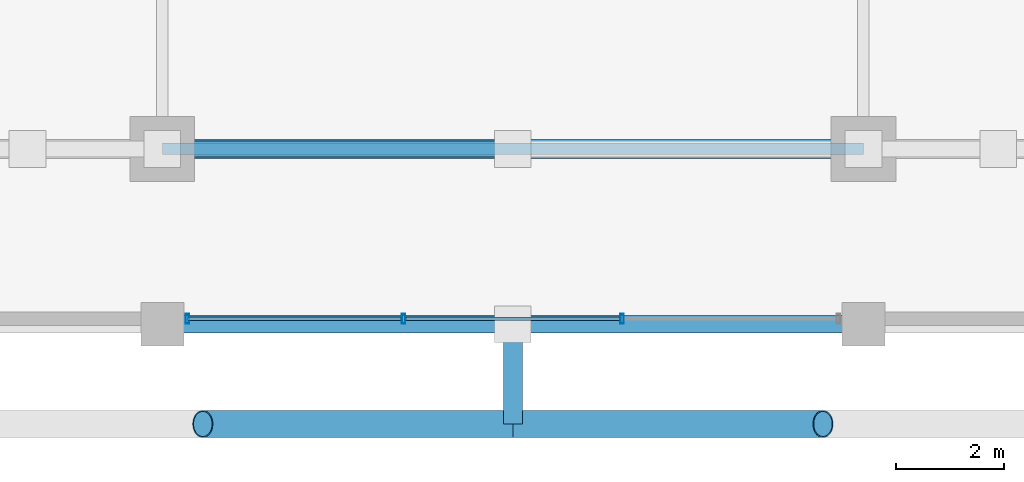
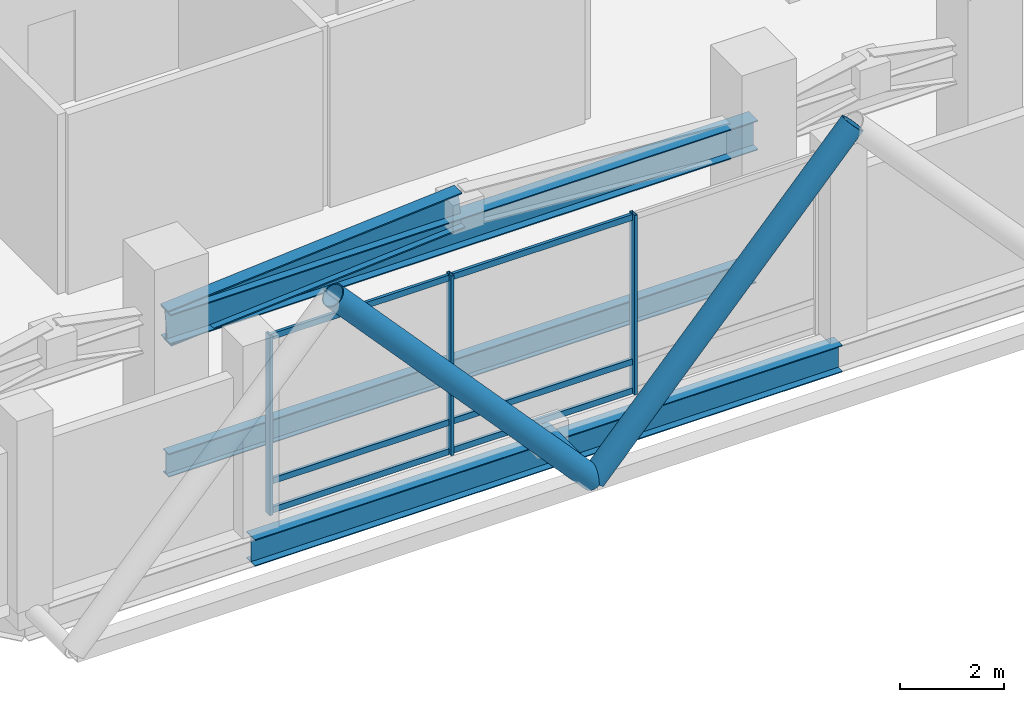
# One storey, part 2 of 22: 14 members, 2 beams, 1 element without a shape of its own.
"""IFC4 building model written with IfcOpenShell, lengths in metres."""

import ifcopenshell
import ifcopenshell.guid

model = None  # the IFC model being written
_history = None  # IfcOwnerHistory: only IFC2X3 demands one
_inside = {}  # id of a spatial element -> (the spatial element, [elements in it])
_under = {}  # id of a project, library or spatial element -> (it, [spatial elements below it])
_declared = {}  # id of a project -> (the project, [libraries it declares])
_typed = {}  # id of a type object -> (the type object, [elements of that type])
_made_of = {}  # id of a material, layer set ... -> (it, [elements and type objects made of it])


def new_model(schema):
    """Start an empty IFC model of exactly this schema.

    Asked for "IFC4X3", IfcOpenShell would pick the latest addendum, in which some entities
    have other attributes; the version numbers below select the first issue.
    IFC2X3 requires an IfcOwnerHistory on every rooted entity: one is made here for all.
    """
    global model, _history
    if schema == "IFC4X3":
        model = ifcopenshell.file(schema_version=(4, 3, 0, 0))
    else:
        model = ifcopenshell.file(schema=schema)
    _inside.clear()
    _under.clear()
    _declared.clear()
    _typed.clear()
    _made_of.clear()
    _history = None
    if model.schema == "IFC2X3":
        org = make("IfcOrganization", Name="unknown")
        user = make(
            "IfcPersonAndOrganization",
            ThePerson=make("IfcPerson", FamilyName="unknown"),
            TheOrganization=org,
        )
        app = make(
            "IfcApplication",
            ApplicationDeveloper=org,
            Version="unknown",
            ApplicationFullName="unknown",
            ApplicationIdentifier="unknown",
        )
        _history = make(
            "IfcOwnerHistory",
            OwningUser=user,
            OwningApplication=app,
            ChangeAction="ADDED",
            CreationDate=0,
        )
    return model


def make(cls, **values):
    """One entity of the class cls with the attributes given. An attribute that is None is left unset."""
    return model.create_entity(
        cls, **{name: value for name, value in values.items() if value is not None}
    )


def rooted(cls, **values):
    """An entity with a GlobalId (a new one), such as an element, a storey or a relation."""
    return make(cls, GlobalId=ifcopenshell.guid.new(), OwnerHistory=_history, **values)


def si_unit(unit_type, name, prefix=None):
    """IfcSIUnit, for example si_unit("LENGTHUNIT", "METRE", prefix="MILLI")."""
    return make("IfcSIUnit", UnitType=unit_type, Prefix=prefix, Name=name)


def assignment(units):
    """IfcUnitAssignment: the units of a project."""
    return None if units is None else make("IfcUnitAssignment", Units=units)


def point(xyz):
    """IfcCartesianPoint."""
    return None if xyz is None else make("IfcCartesianPoint", Coordinates=xyz)


def direction(xyz):
    """IfcDirection."""
    return None if xyz is None else make("IfcDirection", DirectionRatios=xyz)


def frame(location, z_axis=None, x_axis=None):
    """IfcAxis2Placement3D, a coordinate frame: its origin and axes. An axis left out is left unset."""
    return make(
        "IfcAxis2Placement3D",
        Location=point(location),
        Axis=direction(z_axis),
        RefDirection=direction(x_axis),
    )


def frame_2d(location, x_axis=None):
    """IfcAxis2Placement2D, a coordinate frame in the plane: its origin and x axis."""
    return make(
        "IfcAxis2Placement2D", Location=point(location), RefDirection=direction(x_axis)
    )


def origin():
    """The frame at (0, 0, 0) with its axes left unset."""
    return frame((0.0, 0.0, 0.0))


def origin_2d():
    """The frame at (0, 0) in the plane with its x axis left unset."""
    return frame_2d((0.0, 0.0))


def place(relative_to, where):
    """IfcLocalPlacement: puts the frame where relative to a parent placement (None: the world)."""
    return make(
        "IfcLocalPlacement", PlacementRelTo=relative_to, RelativePlacement=where
    )


def context(
    kind, dimensions, precision=None, world=None, true_north=None, identifier=None
):
    """IfcGeometricRepresentationContext, for example the 3D "Model" context."""
    return make(
        "IfcGeometricRepresentationContext",
        ContextIdentifier=identifier,
        ContextType=kind,
        CoordinateSpaceDimension=dimensions,
        Precision=precision,
        WorldCoordinateSystem=world,
        TrueNorth=true_north,
    )


def subcontext(parent, identifier, kind, view, scale=None):
    """IfcGeometricRepresentationSubContext, for example "Body" below "Model"."""
    return make(
        "IfcGeometricRepresentationSubContext",
        ContextIdentifier=identifier,
        ContextType=kind,
        ParentContext=parent,
        TargetScale=scale,
        TargetView=view,
    )


def project(units=None, contexts=None):
    """IfcProject with its units and contexts."""
    return rooted(
        "IfcProject",
        Name="project",
        RepresentationContexts=contexts,
        UnitsInContext=assignment(units),
    )


def spatial(cls, under=None, at=None, **own):
    """A site, building, storey or space (cls), placed at a placement, below another one or the project."""
    s = rooted(cls, ObjectPlacement=at, **own)
    if under is not None:
        _under.setdefault(under.id(), (under, []))[1].append(s)
    return s


def profile(cls, at=None, kind="AREA", **sizes):
    """A parametric profile (cls). Its sizes go by their IFC names, for example OverallWidth=200.0."""
    return make(cls, ProfileType=kind, Position=at, **sizes)


def hollow_rectangle(**sizes):
    """IfcRectangleHollowProfileDef."""
    return profile("IfcRectangleHollowProfileDef", **sizes)


def hollow_circle(**sizes):
    """IfcCircleHollowProfileDef."""
    return profile("IfcCircleHollowProfileDef", **sizes)


def i_section(**sizes):
    """IfcIShapeProfileDef."""
    return profile("IfcIShapeProfileDef", **sizes)


def extrude(swept, where, along, depth):
    """IfcExtrudedAreaSolid: the profile swept, set in the frame where, extruded along a direction by depth."""
    return make(
        "IfcExtrudedAreaSolid",
        SweptArea=swept,
        Position=where,
        ExtrudedDirection=direction(along),
        Depth=depth,
    )


def shape(context_of_items, identifier, shape_type, items):
    """IfcShapeRepresentation: the items that make up one representation, for example the "Body"."""
    return make(
        "IfcShapeRepresentation",
        ContextOfItems=context_of_items,
        RepresentationIdentifier=identifier,
        RepresentationType=shape_type,
        Items=items,
    )


def material(Name=None, Category=None):
    """IfcMaterial."""
    return make("IfcMaterial", Name=Name, Category=Category)


def layer(
    of_material, thickness, ventilated=None, Name=None, Category=None, Priority=None
):
    """IfcMaterialLayer: one layer of a wall or slab, of a material (None: an air gap)."""
    return make(
        "IfcMaterialLayer",
        Material=of_material,
        LayerThickness=thickness,
        IsVentilated=ventilated,
        Name=Name,
        Category=Category,
        Priority=Priority,
    )


def layer_set(layers, Name=None):
    """IfcMaterialLayerSet."""
    return make("IfcMaterialLayerSet", MaterialLayers=layers, LayerSetName=Name)


def material_profile(
    of_material, cross_section, Name=None, Category=None, Priority=None
):
    """IfcMaterialProfile: a cross section and its material."""
    return make(
        "IfcMaterialProfile",
        Name=Name,
        Material=of_material,
        Profile=cross_section,
        Priority=Priority,
        Category=Category,
    )


def profile_set(profiles, Name=None, composite=None):
    """IfcMaterialProfileSet."""
    return make(
        "IfcMaterialProfileSet",
        Name=Name,
        MaterialProfiles=profiles,
        CompositeProfile=composite,
    )


def made_of(thing, what):
    """Note that an element or type object is made of a material, layer set ...; save() writes the relation."""
    if what is not None:
        _made_of.setdefault(what.id(), (what, []))[1].append(thing)
    return thing


def type_object(cls, material=None, **own):
    """A type object (cls), such as IfcWallType, which elements share."""
    return made_of(rooted(cls, **own), material)


def element(
    cls,
    number,
    at=None,
    inside=None,
    cuts=None,
    type_object=None,
    material=None,
    context=None,
    identifier="Body",
    shape_type=None,
    held_by="IfcProductDefinitionShape",
    body=None,
    shapes=None,
    **own,
):
    """One element of the class cls, such as IfcWall. Its Tag is "e" and its number.

    at: its placement. inside: the storey or other place that contains it. cuts: it is an
    opening in that element (IfcRelVoidsElement). A single representation is given by context,
    identifier, shape_type and body (its items); several are given by shapes. held_by: the class
    of the entity that holds the representations. save() writes the other relations.
    """
    e = rooted(cls, Tag="e%d" % number, ObjectPlacement=at, **own)
    if body is not None:
        shapes = [shape(context, identifier, shape_type, body)]
    if shapes is not None:
        e.Representation = make(held_by, Representations=shapes)
    if inside is not None:
        _inside.setdefault(inside.id(), (inside, []))[1].append(e)
    if cuts is not None:
        rooted(
            "IfcRelVoidsElement", RelatingBuildingElement=cuts, RelatedOpeningElement=e
        )
    if type_object is not None:
        _typed.setdefault(type_object.id(), (type_object, []))[1].append(e)
    return made_of(e, material)


def aggregate(whole, parts):
    """IfcRelAggregates: a whole, such as a stair, and the parts it consists of."""
    return rooted("IfcRelAggregates", RelatingObject=whole, RelatedObjects=parts)


def save(model, path):
    """Write the relations noted so far, then the file.

    IfcRelAggregates (storeys below a building ...), IfcRelContainedInSpatialStructure (elements
    in a storey), IfcRelDefinesByType, IfcRelAssociatesMaterial and IfcRelDeclares: one each for
    every whole, place, type object, material and project.
    """
    for whole, parts in _under.values():
        aggregate(whole, parts)
    for where, things in _inside.values():
        rooted(
            "IfcRelContainedInSpatialStructure",
            RelatedElements=things,
            RelatingStructure=where,
        )
    for kind, things in _typed.values():
        rooted("IfcRelDefinesByType", RelatedObjects=things, RelatingType=kind)
    for what, things in _made_of.values():
        rooted("IfcRelAssociatesMaterial", RelatedObjects=things, RelatingMaterial=what)
    for by, libraries in _declared.values():
        rooted("IfcRelDeclares", RelatingContext=by, RelatedDefinitions=libraries)
    model.write(path)


model = new_model("IFC4")

# Units and contexts
model_context = context("Model", 3, precision=1e-05, world=origin(), true_north=direction((0.0, 1.0)))
body_context = subcontext(model_context, "Body", "Model", "MODEL_VIEW")
ifc_project = project(units=[si_unit("LENGTHUNIT", "METRE"), si_unit("AREAUNIT", "SQUARE_METRE"), si_unit("VOLUMEUNIT", "CUBIC_METRE"), si_unit("PLANEANGLEUNIT", "RADIAN"), si_unit("MASSUNIT", "GRAM", prefix="KILO")], contexts=[model_context])

# Site, building, storey
site_placement = place(None, origin())
site = spatial("IfcSite", under=ifc_project, at=site_placement, CompositionType="ELEMENT")
building_placement = place(site_placement, origin())
building = spatial("IfcBuilding", under=site, at=building_placement, Name="Barlavira Tower and Art Museum", CompositionType="ELEMENT")
storey_placement = place(building_placement, frame((0.0, 0.0, 120.60009765625)))
storey = spatial("IfcBuildingStorey", under=building, at=storey_placement, Name="L30", CompositionType="ELEMENT", Elevation=120.60009765625)

# Members
ifc_material_1 = material(Name="Steel S355", Category="steel")
ifc_material_profile_1 = material_profile(ifc_material_1, i_section(OverallWidth=0.35595703125, OverallDepth=0.695068359375, WebThickness=0.014892578125, FlangeThickness=0.023681640625, at=origin_2d()), Name="W690x192.0")
ifc_profile_set_1 = profile_set([ifc_material_profile_1], Name="Steel S355")
member_type_1 = type_object("IfcMemberType", Name="Belt Truss Chord Member W690x192 Steel S355", PredefinedType="CHORD", material=ifc_profile_set_1)
member_1_placement = place(storey_placement, frame((-6.5, -20.0, 2.64990234375), z_axis=(1.0, 0.0, 0.0), x_axis=(0.0, 1.0, 0.0)))
element("IfcMember", 1, at=member_1_placement, inside=storey, type_object=member_type_1, Name="L30 Belt Truss Bottom Chord BS2", PredefinedType="CHORD", context=body_context, shape_type="SweptSolid", body=[
    extrude(i_section(OverallWidth=0.35595703125, OverallDepth=0.695068359375, WebThickness=0.014892578125, FlangeThickness=0.023681640625, at=origin_2d()), origin(), (0.0, 0.0, 1.0), 13.0),
])
ifc_material_profile_2 = material_profile(ifc_material_1, i_section(OverallWidth=0.2939453125, OverallDepth=0.85107421875, WebThickness=0.017333984375, FlangeThickness=0.0283203125, at=origin_2d()), Name="W840x251.0")
ifc_profile_set_2 = profile_set([ifc_material_profile_2], Name="Steel S355")
member_type_2 = type_object("IfcMemberType", Name="Belt Truss Diagonal Brace W840x251 Steel S355", PredefinedType="BRACE", material=ifc_profile_set_2)
member_2_placement = place(storey_placement, frame((-6.5, -20.0, 2.64990234375), z_axis=(0.997054485502, 0.0, 0.076696498885), x_axis=(0.0, 1.0, 0.0)))
element("IfcMember", 2, at=member_2_placement, inside=storey, type_object=member_type_2, Name="L30 Belt Truss Diagonal BS2-1", PredefinedType="BRACE", context=body_context, shape_type="SweptSolid", body=[
    extrude(i_section(OverallWidth=0.2939453125, OverallDepth=0.85107421875, WebThickness=0.017333984375, FlangeThickness=0.0283203125, at=origin_2d()), origin(), (0.0, 0.0, 1.0), 6.519287109375),
])

# Curtain wall, members
ifc_material_2 = material(Name="Low-iron coastal laminated glass", Category="glass")
ifc_layer = layer(ifc_material_2, 0.18994140625, Name="Low-iron coastal laminated glass")
ifc_layer_set = layer_set([ifc_layer], Name="Low-iron coastal laminated glass")
curtain_wall_type = type_object("IfcCurtainWallType", Name="Pale-Metal Unitised Curtain Wall Zone 2", PredefinedType="NOTDEFINED", material=ifc_layer_set)
curtain_wall_placement = place(storey_placement, origin())
curtain_wall = element("IfcCurtainWall", 3, at=curtain_wall_placement, inside=storey, type_object=curtain_wall_type, Name="L30 Curtain Wall CW2-L30-S-B3", PredefinedType="NOTDEFINED")
ifc_material_3 = material(Name="Pale anodised aluminium", Category="aluminium")
ifc_material_profile_3 = material_profile(ifc_material_3, hollow_rectangle(XDim=0.06494140625, YDim=0.179931640625, WallThickness=0.00390625, at=origin_2d()), Name="ALU-MULL 65x180x4")
ifc_profile_set_3 = profile_set([ifc_material_profile_3], Name="Pale anodised aluminium")
member_type_3 = type_object("IfcMemberType", Name="Curtain Wall Pale-Metal Mullion 65x180", PredefinedType="MULLION", material=ifc_profile_set_3)
member_3_placement = place(storey_placement, frame((-6.034912109375, -23.14990234375, 0.0), z_axis=(0.0, 0.0, 1.0), x_axis=(1.0, 0.0, 0.0)))
member_3 = element("IfcMember", 4, at=member_3_placement, type_object=member_type_3, Name="CW2-L30-S-B3 Mullion 0", PredefinedType="MULLION", context=body_context, shape_type="SweptSolid", body=[
    extrude(hollow_rectangle(XDim=0.06494140625, YDim=0.179931640625, WallThickness=0.00390625, at=origin_2d()), origin(), (0.0, 0.0, 1.0), 4.199951171875),
])
member_4_placement = place(storey_placement, frame((-2.026611328125, -23.14990234375, 0.0), z_axis=(0.0, 0.0, 1.0), x_axis=(1.0, 0.0, 0.0)))
member_4 = element("IfcMember", 5, at=member_4_placement, type_object=member_type_3, Name="CW2-L30-S-B3 Mullion 1", PredefinedType="MULLION", context=body_context, shape_type="SweptSolid", body=[
    extrude(hollow_rectangle(XDim=0.06494140625, YDim=0.179931640625, WallThickness=0.00390625, at=origin_2d()), origin(), (0.0, 0.0, 1.0), 4.199951171875),
])
member_5_placement = place(storey_placement, frame((2.026611328125, -23.14990234375, 0.0), z_axis=(0.0, 0.0, 1.0), x_axis=(1.0, 0.0, 0.0)))
member_5 = element("IfcMember", 6, at=member_5_placement, type_object=member_type_3, Name="CW2-L30-S-B3 Mullion 2", PredefinedType="MULLION", context=body_context, shape_type="SweptSolid", body=[
    extrude(hollow_rectangle(XDim=0.06494140625, YDim=0.179931640625, WallThickness=0.00390625, at=origin_2d()), origin(), (0.0, 0.0, 1.0), 4.199951171875),
])
ifc_material_profile_4 = material_profile(ifc_material_3, hollow_rectangle(XDim=0.06494140625, YDim=0.139892578125, WallThickness=0.00390625, at=origin_2d()), Name="ALU-TRAN 65x140x4")
ifc_profile_set_4 = profile_set([ifc_material_profile_4], Name="Pale anodised aluminium")
member_type_4 = type_object("IfcMemberType", Name="Curtain Wall Pale-Metal Transom 65x140", PredefinedType="USERDEFINED", material=ifc_profile_set_4)
member_6_placement = place(storey_placement, frame((-6.034912109375, -23.14990234375, 0.06982421875), z_axis=(1.0, 0.0, 0.0), x_axis=(0.0, 1.0, 0.0)))
member_6 = element("IfcMember", 7, at=member_6_placement, type_object=member_type_4, Name="CW2-L30-S-B3 Transom 0.1", ObjectType="TRANSOM", PredefinedType="USERDEFINED", context=body_context, shape_type="SweptSolid", body=[
    extrude(hollow_rectangle(XDim=0.06494140625, YDim=0.139892578125, WallThickness=0.00390625, at=origin_2d()), origin(), (0.0, 0.0, 1.0), 3.963134765625),
])
member_7_placement = place(storey_placement, frame((-6.034912109375, -23.14990234375, 0.75), z_axis=(1.0, 0.0, 0.0), x_axis=(0.0, 1.0, 0.0)))
member_7 = element("IfcMember", 8, at=member_7_placement, type_object=member_type_4, Name="CW2-L30-S-B3 Transom 0.2", ObjectType="TRANSOM", PredefinedType="USERDEFINED", context=body_context, shape_type="SweptSolid", body=[
    extrude(hollow_rectangle(XDim=0.06494140625, YDim=0.139892578125, WallThickness=0.00390625, at=origin_2d()), origin(), (0.0, 0.0, 1.0), 3.963134765625),
])
member_8_placement = place(storey_placement, frame((-6.034912109375, -23.14990234375, 4.1298828125), z_axis=(1.0, 0.0, 0.0), x_axis=(0.0, 1.0, 0.0)))
member_8 = element("IfcMember", 9, at=member_8_placement, type_object=member_type_4, Name="CW2-L30-S-B3 Transom 0.3", ObjectType="TRANSOM", PredefinedType="USERDEFINED", context=body_context, shape_type="SweptSolid", body=[
    extrude(hollow_rectangle(XDim=0.06494140625, YDim=0.139892578125, WallThickness=0.00390625, at=origin_2d()), origin(), (0.0, 0.0, 1.0), 3.963134765625),
])
member_9_placement = place(storey_placement, frame((-1.981689453125, -23.14990234375, 0.06982421875), z_axis=(1.0, 0.0, 0.0), x_axis=(0.0, 1.0, 0.0)))
member_9 = element("IfcMember", 10, at=member_9_placement, type_object=member_type_4, Name="CW2-L30-S-B3 Transom 1.1", ObjectType="TRANSOM", PredefinedType="USERDEFINED", context=body_context, shape_type="SweptSolid", body=[
    extrude(hollow_rectangle(XDim=0.06494140625, YDim=0.139892578125, WallThickness=0.00390625, at=origin_2d()), origin(), (0.0, 0.0, 1.0), 3.96337890625),
])
member_10_placement = place(storey_placement, frame((-1.981689453125, -23.14990234375, 0.75), z_axis=(1.0, 0.0, 0.0), x_axis=(0.0, 1.0, 0.0)))
member_10 = element("IfcMember", 11, at=member_10_placement, type_object=member_type_4, Name="CW2-L30-S-B3 Transom 1.2", ObjectType="TRANSOM", PredefinedType="USERDEFINED", context=body_context, shape_type="SweptSolid", body=[
    extrude(hollow_rectangle(XDim=0.06494140625, YDim=0.139892578125, WallThickness=0.00390625, at=origin_2d()), origin(), (0.0, 0.0, 1.0), 3.96337890625),
])
member_11_placement = place(storey_placement, frame((-1.981689453125, -23.14990234375, 4.1298828125), z_axis=(1.0, 0.0, 0.0), x_axis=(0.0, 1.0, 0.0)))
member_11 = element("IfcMember", 12, at=member_11_placement, type_object=member_type_4, Name="CW2-L30-S-B3 Transom 1.3", ObjectType="TRANSOM", PredefinedType="USERDEFINED", context=body_context, shape_type="SweptSolid", body=[
    extrude(hollow_rectangle(XDim=0.06494140625, YDim=0.139892578125, WallThickness=0.00390625, at=origin_2d()), origin(), (0.0, 0.0, 1.0), 3.96337890625),
])
aggregate(curtain_wall, [member_3, member_4, member_5, member_6, member_7, member_8, member_9, member_10, member_11])

# Members
ifc_material_profile_5 = material_profile(ifc_material_1, hollow_circle(Radius=0.25390625, WallThickness=0.022216796875, at=origin_2d()), Name="CHS 508.0x22.2")
ifc_profile_set_5 = profile_set([ifc_material_profile_5], Name="Steel S355")
member_type_5 = type_object("IfcMemberType", Name="Pale-Metal Exoskeleton Diagrid Tube CHS 508x22 Steel S355", PredefinedType="BRACE", material=ifc_profile_set_5)
for number, where, z_axis, x_axis, name in (
    (13, (0.0, -25.10009765625, -0.1201171875), (-0.67412750573, 0.0, 0.738614991736), (0.0, -1.0, 0.0), "L30 Exoskeleton Diagrid Tube S"),
    (14, (0.0, -25.10009765625, -0.1201171875), (0.67412750573, 0.0, 0.738614991736), (0.0, 1.0, 0.0), "L30 Exoskeleton Diagrid Tube S"),
):
    element("IfcMember", number, at=place(storey_placement, frame(where, z_axis=z_axis, x_axis=x_axis)), inside=storey, type_object=member_type_5, Name=name, PredefinedType="BRACE", context=body_context, shape_type="SweptSolid", body=[
        extrude(hollow_circle(Radius=0.25390625, WallThickness=0.022216796875, at=origin_2d()), origin(), (0.0, 0.0, 1.0), 8.529541015625),
    ])
ifc_material_profile_6 = material_profile(ifc_material_1, hollow_circle(Radius=0.177734375, WallThickness=0.01611328125, at=origin_2d()), Name="CHS 355.6x16.0")
ifc_profile_set_6 = profile_set([ifc_material_profile_6], Name="Steel S355")
member_type_6 = type_object("IfcMemberType", Name="Pale-Metal Exoskeleton Tie Strut CHS 356x16 Steel S355", PredefinedType="STRUT", material=ifc_profile_set_6)
member_12_placement = place(storey_placement, frame((0.0, -25.10009765625, -0.1201171875), z_axis=(0.0, 1.0, 0.0), x_axis=(-1.0, 0.0, 0.0)))
element("IfcMember", 15, at=member_12_placement, inside=storey, type_object=member_type_6, Name="L30 Exoskeleton Tie Strut S2", PredefinedType="STRUT", context=body_context, shape_type="SweptSolid", body=[
    extrude(hollow_circle(Radius=0.177734375, WallThickness=0.01611328125, at=origin_2d()), origin(), (0.0, 0.0, 1.0), 1.85009765625),
])

# Beams
ifc_material_profile_7 = material_profile(ifc_material_1, i_section(OverallWidth=0.327880859375, OverallDepth=0.62890625, WebThickness=0.013916015625, FlangeThickness=0.021484375, at=origin_2d()), Name="W610x174.0")
ifc_profile_set_7 = profile_set([ifc_material_profile_7], Name="Steel S355")
beam_type_1 = type_object("IfcBeamType", Name="Perimeter Spandrel Edge Beam W610x174 Steel S355", PredefinedType="SPANDREL", material=ifc_profile_set_7)
beam_1_placement = place(storey_placement, frame((-6.5, -23.25, -0.614501953125), z_axis=(1.0, 0.0, 0.0), x_axis=(0.0, 1.0, 0.0)))
element("IfcBeam", 16, at=beam_1_placement, inside=storey, type_object=beam_type_1, Name="L30 Spandrel 2", PredefinedType="SPANDREL", context=body_context, shape_type="SweptSolid", body=[
    extrude(i_section(OverallWidth=0.327880859375, OverallDepth=0.62890625, WebThickness=0.013916015625, FlangeThickness=0.021484375, at=origin_2d()), origin(), (0.0, 0.0, 1.0), 13.0),
])
ifc_material_profile_8 = material_profile(ifc_material_1, i_section(OverallWidth=0.214111328125, OverallDepth=0.549072265625, WebThickness=0.0146484375, FlangeThickness=0.023681640625, at=origin_2d()), Name="W530x138.0")
ifc_profile_set_8 = profile_set([ifc_material_profile_8], Name="Steel S355")
beam_type_2 = type_object("IfcBeamType", Name="Zone 1 Primary Floor Girder W530x138 Steel S355", PredefinedType="BEAM", material=ifc_profile_set_8)
beam_2_placement = place(storey_placement, frame((-6.5, -20.0, -0.57470703125), z_axis=(1.0, 0.0, 0.0), x_axis=(0.0, 1.0, 0.0)))
element("IfcBeam", 17, at=beam_2_placement, inside=storey, type_object=beam_type_2, Name="L30 Girder M-S2", PredefinedType="BEAM", context=body_context, shape_type="SweptSolid", body=[
    extrude(i_section(OverallWidth=0.214111328125, OverallDepth=0.549072265625, WebThickness=0.0146484375, FlangeThickness=0.023681640625, at=origin_2d()), origin(), (0.0, 0.0, 1.0), 13.0),
])

save(model, "model.ifc")
